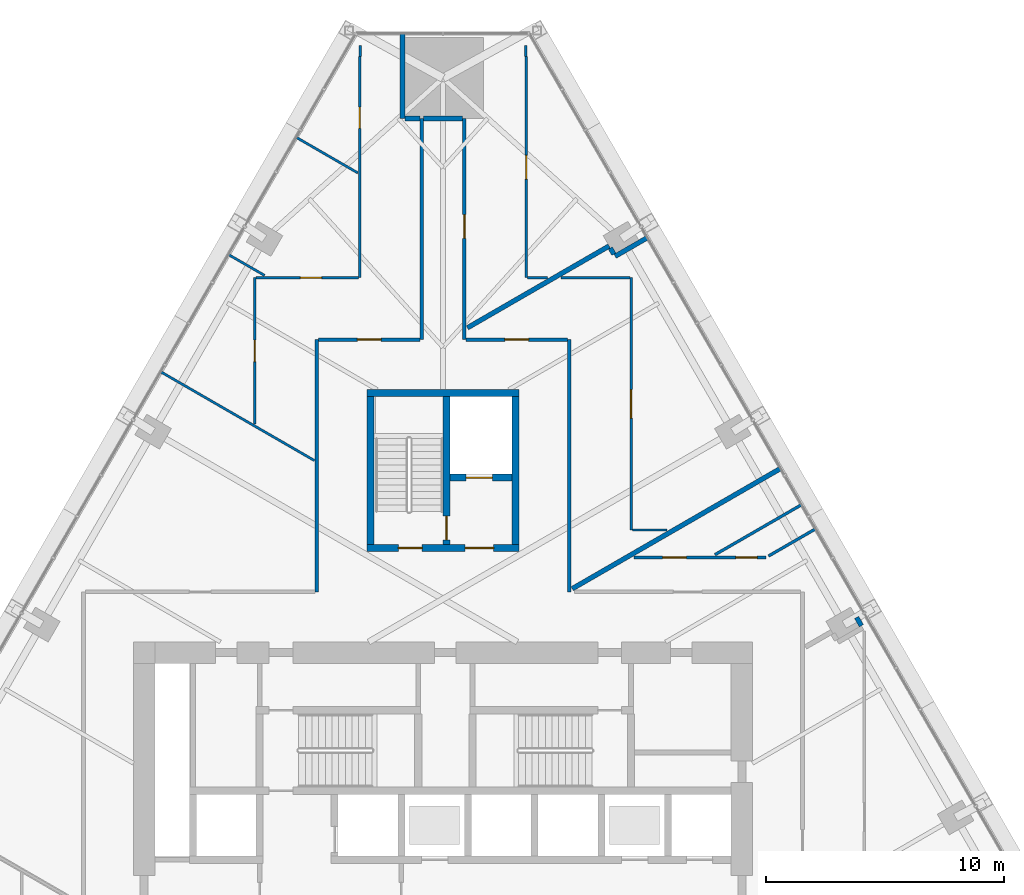
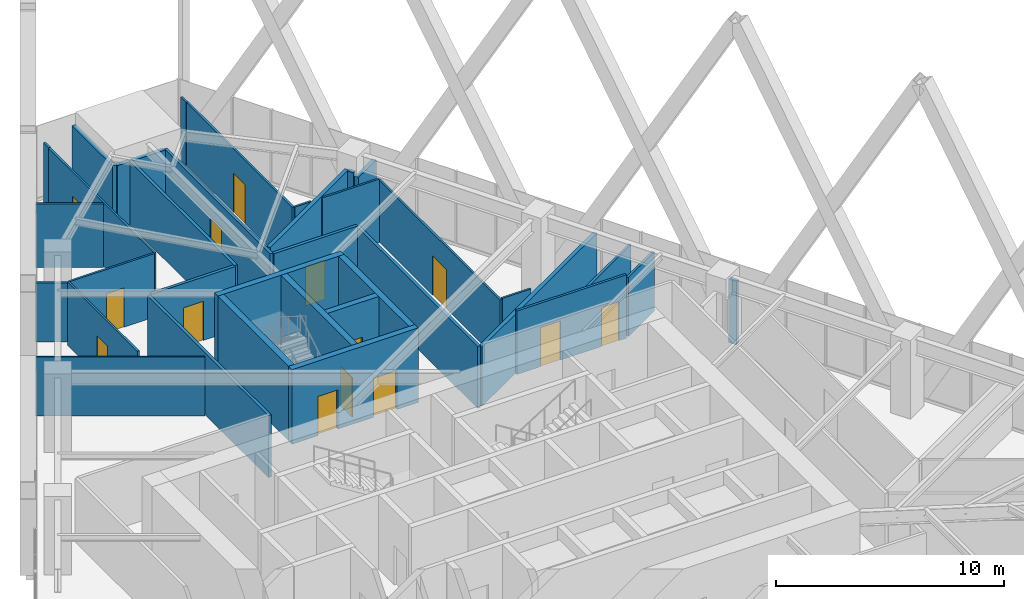
# One storey, part 18 of 21: 36 walls, 14 doors, 14 openings.
"""IFC4 building model written with IfcOpenShell, lengths in metres."""

from ifc_helpers import new_model, si_unit, direction, frame, frame_2d, origin, place, context, subcontext, project, spatial, rectangle, extrude, material, layer, layer_set, type_object, element, fill, save


model = new_model("IFC4")

# Units and contexts
model_context = context("Model", 3, precision=1e-05, world=origin(), true_north=direction((0.0, 1.0)))
body_context = subcontext(model_context, "Body", "Model", "MODEL_VIEW")
ifc_project = project(units=[si_unit("LENGTHUNIT", "METRE"), si_unit("AREAUNIT", "SQUARE_METRE"), si_unit("VOLUMEUNIT", "CUBIC_METRE"), si_unit("PLANEANGLEUNIT", "RADIAN"), si_unit("MASSUNIT", "GRAM", prefix="KILO")], contexts=[model_context])

# Site, building, storey
site_placement = place(None, origin())
site = spatial("IfcSite", under=ifc_project, at=site_placement, CompositionType="ELEMENT")
building_placement = place(site_placement, origin())
building = spatial("IfcBuilding", under=site, at=building_placement, Name="Firuza Gate Tower and Library", CompositionType="ELEMENT")
storey_placement = place(building_placement, frame((0.0, 0.0, 107.199951171875)))
storey = spatial("IfcBuildingStorey", under=building, at=storey_placement, Name="L24", CompositionType="ELEMENT", Elevation=107.199951171875)

# Wall, openings, doors
ifc_material_1 = material(Name="Concrete C80/95", Category="concrete")
ifc_layer_1 = layer(ifc_material_1, 0.300048828125)
ifc_layer_set_1 = layer_set([ifc_layer_1], Name="Core wall 300 C80/95")
wall_type_1 = type_object("IfcWallType", Name="Core wall 300 C80/95", PredefinedType="SHEAR", material=ifc_layer_set_1)
wall_1_placement = place(storey_placement, frame((71.800048828125, 87.949951171875, 0.0), z_axis=(0.0, 0.0, 1.0), x_axis=(1.0, 0.0, 0.0)))
wall_1 = element("IfcWall", 1, at=wall_1_placement, inside=storey, type_object=wall_type_1, Name="Core wall L24 34", PredefinedType="SHEAR", context=body_context, shape_type="SweptSolid", body=[
    extrude(rectangle(XDim=6.39990234375, YDim=0.300048828125, at=frame_2d((3.199951171875, 0.0))), origin(), (0.0, 0.0, 1.0), 4.0),
])
opening_1_placement = place(wall_1_placement, frame((1.324951171875, 0.0, 0.0)))
opening_1 = element("IfcOpeningElement", 2, at=opening_1_placement, cuts=wall_1, Name="Opening L24-K17", PredefinedType="OPENING", context=body_context, shape_type="SweptSolid", body=[
    extrude(rectangle(XDim=1.0, YDim=2.10009765625, at=frame_2d((0.5, 1.050048828125))), frame((0.0, 0.16015625, 0.0), z_axis=(0.0, -1.0, 0.0), x_axis=(1.0, 0.0, 0.0)), (0.0, 0.0, 1.0), 0.320068359375),
])
opening_2_placement = place(wall_1_placement, frame((4.125, 0.0, 0.0)))
opening_2 = element("IfcOpeningElement", 3, at=opening_2_placement, cuts=wall_1, Name="Opening L24-K19", PredefinedType="OPENING", context=body_context, shape_type="SweptSolid", body=[
    extrude(rectangle(XDim=1.199951171875, YDim=2.10009765625, at=frame_2d((0.60009765625, 1.050048828125))), frame((0.0, 0.16015625, 0.0), z_axis=(0.0, -1.0, 0.0), x_axis=(1.0, 0.0, 0.0)), (0.0, 0.0, 1.0), 0.320068359375),
])
ifc_material_2 = material(Name="Steel", Category="steel")
door_type_1 = type_object("IfcDoorType", Name="Fire door 1000x2100 FD90", OperationType="NOTDEFINED", PredefinedType="DOOR", material=ifc_material_2)
door_1_placement = place(opening_1_placement, origin())
door_1 = element("IfcDoor", 4, at=door_1_placement, inside=storey, type_object=door_type_1, Name="Door L24-K17", OperationType="SINGLE_SWING_RIGHT", OverallHeight=2.10009765625, OverallWidth=1.0, PredefinedType="DOOR", context=body_context, shape_type="SweptSolid", body=[
    extrude(rectangle(XDim=1.0, YDim=2.10009765625, at=frame_2d((0.5, 1.050048828125))), frame((0.0, 0.02490234375, 0.0), z_axis=(0.0, -1.0, 0.0), x_axis=(1.0, 0.0, 0.0)), (0.0, 0.0, 1.0), 0.050048828125),
])
fill(opening_1, door_1)
ifc_material_3 = material(Name="Steel", Category="steel")
door_type_2 = type_object("IfcDoorType", Name="Fire door 1200x2100 FD30S", OperationType="NOTDEFINED", PredefinedType="DOOR", material=ifc_material_3)
door_2_placement = place(opening_2_placement, origin())
door_2 = element("IfcDoor", 5, at=door_2_placement, inside=storey, type_object=door_type_2, Name="Door L24-K19", OperationType="SINGLE_SWING_RIGHT", OverallHeight=2.10009765625, OverallWidth=1.199951171875, PredefinedType="DOOR", context=body_context, shape_type="SweptSolid", body=[
    extrude(rectangle(XDim=1.199951171875, YDim=2.10009765625, at=frame_2d((0.60009765625, 1.050048828125))), frame((0.0, 0.02490234375, 0.0), z_axis=(0.0, -1.0, 0.0), x_axis=(1.0, 0.0, 0.0)), (0.0, 0.0, 1.0), 0.050048828125),
])
fill(opening_2, door_2)

# Walls
wall_2_placement = place(storey_placement, frame((71.800048828125, 94.449951171875, 0.0), z_axis=(0.0, 0.0, 1.0), x_axis=(1.0, 0.0, 0.0)))
element("IfcWall", 6, at=wall_2_placement, inside=storey, type_object=wall_type_1, Name="Core wall L24 35", PredefinedType="SHEAR", context=body_context, shape_type="SweptSolid", body=[
    extrude(rectangle(XDim=6.39990234375, YDim=0.300048828125, at=frame_2d((3.199951171875, 0.0))), origin(), (0.0, 0.0, 1.0), 4.0),
])
for number, where, z_axis, x_axis, name in (
    (7, (71.949951171875, 88.10009765625, 0.0), (0.0, 0.0, 1.0), (0.0, 1.0, 0.0), "Core wall L24 36"),
    (8, (78.050048828125, 88.10009765625, 0.0), (0.0, 0.0, 1.0), (0.0, 1.0, 0.0), "Core wall L24 37"),
):
    element("IfcWall", number, at=place(storey_placement, frame(where, z_axis=z_axis, x_axis=x_axis)), inside=storey, type_object=wall_type_1, Name=name, PredefinedType="SHEAR", context=body_context, shape_type="SweptSolid", body=[
        extrude(rectangle(XDim=6.199951171875, YDim=0.300048828125, at=frame_2d((3.10009765625, 0.0))), origin(), (0.0, 0.0, 1.0), 4.0),
    ])

# Wall, opening, door
wall_3_placement = place(storey_placement, frame((75.300048828125, 90.89990234375, 0.0), z_axis=(0.0, 0.0, 1.0), x_axis=(1.0, 0.0, 0.0)))
wall_3 = element("IfcWall", 9, at=wall_3_placement, inside=storey, type_object=wall_type_1, Name="Core wall L24 38", PredefinedType="SHEAR", context=body_context, shape_type="SweptSolid", body=[
    extrude(rectangle(XDim=2.599853515625, YDim=0.300048828125, at=frame_2d((1.2998046875, 0.0))), origin(), (0.0, 0.0, 1.0), 4.0),
])
opening_3_placement = place(wall_3_placement, frame((0.675048828125, 0.0, 0.0)))
opening_3 = element("IfcOpeningElement", 10, at=opening_3_placement, cuts=wall_3, Name="Opening LD-SV1-L24", PredefinedType="OPENING", context=body_context, shape_type="SweptSolid", body=[
    extrude(rectangle(XDim=1.10009765625, YDim=2.10009765625, at=frame_2d((0.550048828125, 1.050048828125))), frame((0.0, 0.16015625, 0.0), z_axis=(0.0, -1.0, 0.0), x_axis=(1.0, 0.0, 0.0)), (0.0, 0.0, 1.0), 0.320068359375),
])
ifc_material_4 = material(Name="Stainless steel", Category="steel")
door_type_3 = type_object("IfcDoorType", Name="Lift landing door 1100x2100", OperationType="DOUBLE_DOOR_SLIDING", PredefinedType="DOOR", material=ifc_material_4)
door_3_placement = place(opening_3_placement, origin())
door_3 = element("IfcDoor", 11, at=door_3_placement, inside=storey, type_object=door_type_3, Name="Landing door SV1 L24", OperationType="DOUBLE_DOOR_SLIDING", OverallHeight=2.10009765625, OverallWidth=1.10009765625, PredefinedType="DOOR", context=body_context, shape_type="SweptSolid", body=[
    extrude(rectangle(XDim=1.10009765625, YDim=2.10009765625, at=frame_2d((0.550048828125, 1.050048828125))), frame((0.0, 0.02490234375, 0.0), z_axis=(0.0, -1.0, 0.0), x_axis=(1.0, 0.0, 0.0)), (0.0, 0.0, 1.0), 0.050048828125),
])
fill(opening_3, door_3)

wall_4_placement = place(storey_placement, frame((75.14990234375, 88.10009765625, 0.0), z_axis=(0.0, 0.0, 1.0), x_axis=(0.0, 1.0, 0.0)))
wall_4 = element("IfcWall", 12, at=wall_4_placement, inside=storey, type_object=wall_type_1, Name="Core wall L24 39", PredefinedType="SHEAR", context=body_context, shape_type="SweptSolid", body=[
    extrude(rectangle(XDim=6.199951171875, YDim=0.300048828125, at=frame_2d((3.10009765625, 0.0))), origin(), (0.0, 0.0, 1.0), 4.0),
])
opening_4_placement = place(wall_4_placement, frame((0.18505859375, 0.0, 0.0)))
opening_4 = element("IfcOpeningElement", 13, at=opening_4_placement, cuts=wall_4, Name="Opening L24-K18", PredefinedType="OPENING", context=body_context, shape_type="SweptSolid", body=[
    extrude(rectangle(XDim=1.0, YDim=2.10009765625, at=frame_2d((0.5, 1.050048828125))), frame((0.0, 0.16015625, 0.0), z_axis=(0.0, -1.0, 0.0), x_axis=(1.0, 0.0, 0.0)), (0.0, 0.0, 1.0), 0.320068359375),
])
door_4_placement = place(opening_4_placement, origin())
door_4 = element("IfcDoor", 14, at=door_4_placement, inside=storey, type_object=door_type_1, Name="Door L24-K18", OperationType="SINGLE_SWING_LEFT", OverallHeight=2.10009765625, OverallWidth=1.0, PredefinedType="DOOR", context=body_context, shape_type="SweptSolid", body=[
    extrude(rectangle(XDim=1.0, YDim=2.10009765625, at=frame_2d((0.5, 1.050048828125))), frame((0.0, 0.02490234375, 0.0), z_axis=(0.0, -1.0, 0.0), x_axis=(1.0, 0.0, 0.0)), (0.0, 0.0, 1.0), 0.050048828125),
])
fill(opening_4, door_4)

ifc_material_5 = material(Name="Gypsum board partition")
ifc_layer_2 = layer(ifc_material_5, 0.14990234375)
ifc_layer_set_2 = layer_set([ifc_layer_2], Name="Corridor wall 150 double board on steel studs")
wall_type_2 = type_object("IfcWallType", Name="Corridor wall 150 double board on steel studs", PredefinedType="PARTITIONING", material=ifc_layer_set_2)
wall_5_placement = place(storey_placement, frame((69.775390625, 96.699951171875, 0.0), z_axis=(0.0, 0.0, 1.0), x_axis=(1.0, 0.0, 0.0)))
wall_5 = element("IfcWall", 15, at=wall_5_placement, inside=storey, type_object=wall_type_2, Name="f:L24:w006", PredefinedType="PARTITIONING", context=body_context, shape_type="SweptSolid", body=[
    extrude(rectangle(XDim=4.24951171875, YDim=0.14990234375, at=frame_2d((2.124755859375, 0.0))), origin(), (0.0, 0.0, 1.0), 3.400146484375),
])
opening_5_placement = place(wall_5_placement, frame((1.624755859375, 0.0, 0.0)))
opening_5 = element("IfcOpeningElement", 16, at=opening_5_placement, cuts=wall_5, Name="Opening L24-08", PredefinedType="OPENING", context=body_context, shape_type="SweptSolid", body=[
    extrude(rectangle(XDim=1.0, YDim=2.10009765625, at=frame_2d((0.5, 1.050048828125))), frame((0.0, 0.0849609375, 0.0), z_axis=(0.0, -1.0, 0.0), x_axis=(1.0, 0.0, 0.0)), (0.0, 0.0, 1.0), 0.169921875),
])
ifc_material_6 = material(Name="Steel door and timber leaf", Category="steel")
door_type_4 = type_object("IfcDoorType", Name="Fire door 1000 x 2100 steel frame, timber leaf", OperationType="NOTDEFINED", PredefinedType="DOOR", material=ifc_material_6)
door_5_placement = place(opening_5_placement, origin())
door_5 = element("IfcDoor", 17, at=door_5_placement, inside=storey, type_object=door_type_4, Name="f:L24:d008", OperationType="SINGLE_SWING_RIGHT", OverallHeight=2.10009765625, OverallWidth=1.0, PredefinedType="DOOR", context=body_context, shape_type="SweptSolid", body=[
    extrude(rectangle(XDim=1.0, YDim=2.10009765625, at=frame_2d((0.5, 1.050048828125))), frame((0.0, 0.02490234375, 0.0), z_axis=(0.0, -1.0, 0.0), x_axis=(1.0, 0.0, 0.0)), (0.0, 0.0, 1.0), 0.050048828125),
])
fill(opening_5, door_5)

wall_6_placement = place(storey_placement, frame((80.22509765625, 96.699951171875, 0.0), z_axis=(0.0, 0.0, 1.0), x_axis=(-1.0, 0.0, 0.0)))
wall_6 = element("IfcWall", 18, at=wall_6_placement, inside=storey, type_object=wall_type_2, Name="f:L24:w007", PredefinedType="PARTITIONING", context=body_context, shape_type="SweptSolid", body=[
    extrude(rectangle(XDim=4.25, YDim=0.14990234375, at=frame_2d((2.125, 0.0))), origin(), (0.0, 0.0, 1.0), 3.400146484375),
])
opening_6_placement = place(wall_6_placement, frame((1.625, 0.0, 0.0)))
opening_6 = element("IfcOpeningElement", 19, at=opening_6_placement, cuts=wall_6, Name="Opening L24-09", PredefinedType="OPENING", context=body_context, shape_type="SweptSolid", body=[
    extrude(rectangle(XDim=1.0, YDim=2.10009765625, at=frame_2d((0.5, 1.050048828125))), frame((0.0, 0.0849609375, 0.0), z_axis=(0.0, -1.0, 0.0), x_axis=(1.0, 0.0, 0.0)), (0.0, 0.0, 1.0), 0.169921875),
])
door_6_placement = place(opening_6_placement, origin())
door_6 = element("IfcDoor", 20, at=door_6_placement, inside=storey, type_object=door_type_4, Name="f:L24:d009", OperationType="SINGLE_SWING_RIGHT", OverallHeight=2.10009765625, OverallWidth=1.0, PredefinedType="DOOR", context=body_context, shape_type="SweptSolid", body=[
    extrude(rectangle(XDim=1.0, YDim=2.10009765625, at=frame_2d((0.5, 1.050048828125))), frame((0.0, 0.02490234375, 0.0), z_axis=(0.0, -1.0, 0.0), x_axis=(1.0, 0.0, 0.0)), (0.0, 0.0, 1.0), 0.050048828125),
])
fill(opening_6, door_6)

# Wall
wall_7_placement = place(storey_placement, frame((80.300048828125, 86.10009765625, 0.0), z_axis=(0.0, 0.0, 1.0), x_axis=(0.0, 1.0, 0.0)))
element("IfcWall", 21, at=wall_7_placement, inside=storey, type_object=wall_type_2, Name="f:L24:w035", PredefinedType="PARTITIONING", context=body_context, shape_type="SweptSolid", body=[
    extrude(rectangle(XDim=10.599853515625, YDim=0.14990234375, at=frame_2d((5.2998046875, 0.0))), origin(), (0.0, 0.0, 1.0), 3.322021484375),
])

# Wall, opening, door
wall_8_placement = place(storey_placement, frame((75.89990234375, 105.98193359375, 0.0), z_axis=(0.0, 0.0, 1.0), x_axis=(0.0, -1.0, 0.0)))
wall_8 = element("IfcWall", 22, at=wall_8_placement, inside=storey, type_object=wall_type_2, Name="f:L24:w039", PredefinedType="PARTITIONING", context=body_context, shape_type="SweptSolid", body=[
    extrude(rectangle(XDim=9.281982421875, YDim=0.14990234375, at=frame_2d((4.64111328125, 0.0))), origin(), (0.0, 0.0, 1.0), 3.400146484375),
])
opening_7_placement = place(wall_8_placement, frame((4.03125, 0.0, 0.0)))
opening_7 = element("IfcOpeningElement", 23, at=opening_7_placement, cuts=wall_8, Name="Opening L24-20", PredefinedType="OPENING", context=body_context, shape_type="SweptSolid", body=[
    extrude(rectangle(XDim=1.0, YDim=2.10009765625, at=frame_2d((0.5, 1.050048828125))), frame((0.0, 0.0849609375, 0.0), z_axis=(0.0, -1.0, 0.0), x_axis=(1.0, 0.0, 0.0)), (0.0, 0.0, 1.0), 0.169921875),
])
door_7_placement = place(opening_7_placement, origin())
door_7 = element("IfcDoor", 24, at=door_7_placement, inside=storey, type_object=door_type_4, Name="f:L24:d020", OperationType="SINGLE_SWING_RIGHT", OverallHeight=2.10009765625, OverallWidth=1.0, PredefinedType="DOOR", context=body_context, shape_type="SweptSolid", body=[
    extrude(rectangle(XDim=1.0, YDim=2.10009765625, at=frame_2d((0.5, 1.050048828125))), frame((0.0, 0.02490234375, 0.0), z_axis=(0.0, -1.0, 0.0), x_axis=(1.0, 0.0, 0.0)), (0.0, 0.0, 1.0), 0.050048828125),
])
fill(opening_7, door_7)

# Walls
wall_9_placement = place(storey_placement, frame((74.10009765625, 96.699951171875, 0.0), z_axis=(0.0, 0.0, 1.0), x_axis=(0.0, 1.0, 0.0)))
element("IfcWall", 25, at=wall_9_placement, inside=storey, type_object=wall_type_2, Name="f:L24:w040", PredefinedType="PARTITIONING", context=body_context, shape_type="SweptSolid", body=[
    extrude(rectangle(XDim=9.282470703125, YDim=0.14990234375, at=frame_2d((4.64111328125, 0.0))), origin(), (0.0, 0.0, 1.0), 3.400146484375),
])
wall_10_placement = place(storey_placement, frame((69.699951171875, 86.10009765625, 0.0), z_axis=(0.0, 0.0, 1.0), x_axis=(0.0, 1.0, 0.0)))
element("IfcWall", 26, at=wall_10_placement, inside=storey, type_object=wall_type_2, Name="f:L24:w044", PredefinedType="PARTITIONING", context=body_context, shape_type="SweptSolid", body=[
    extrude(rectangle(XDim=10.599365234375, YDim=0.14990234375, at=frame_2d((5.2998046875, 0.0))), origin(), (0.0, 0.0, 1.0), 3.322021484375),
])
ifc_material_7 = material(Name="Gypsum board partition")
ifc_layer_3 = layer(ifc_material_7, 0.199951171875)
ifc_layer_set_3 = layer_set([ifc_layer_3], Name="Demising wall 200 acoustic double stud")
wall_type_3 = type_object("IfcWallType", Name="Demising wall 200 acoustic double stud", PredefinedType="PARTITIONING", material=ifc_layer_set_3)
wall_11_placement = place(storey_placement, frame((73.400390625, 105.98193359375, 0.0), z_axis=(0.0, 0.0, 1.0), x_axis=(1.0, 0.0, 0.0)))
element("IfcWall", 27, at=wall_11_placement, inside=storey, type_object=wall_type_3, Name="f:L24:w010", PredefinedType="PARTITIONING", context=body_context, shape_type="SweptSolid", body=[
    extrude(rectangle(XDim=0.62451171875, YDim=0.199951171875, at=frame_2d((0.312255859375, 0.0))), origin(), (0.0, 0.0, 1.0), 3.400146484375),
])
wall_12_placement = place(storey_placement, frame((80.4267578125, 86.234619140625, 0.0), z_axis=(0.0, 0.0, 1.0), x_axis=(0.8660229921, 0.500004177138, 0.0)))
element("IfcWall", 28, at=wall_12_placement, inside=storey, type_object=wall_type_3, Name="f:L24:w021", PredefinedType="PARTITIONING", context=body_context, shape_type="SweptSolid", body=[
    extrude(rectangle(XDim=10.10205078125, YDim=0.199951171875, at=frame_2d((5.051025390625, 0.0))), origin(), (0.0, 0.0, 1.0), 3.1650390625),
])
wall_13_placement = place(storey_placement, frame((82.228759765625, 100.198486328125, 0.0), z_axis=(0.0, 0.0, 1.0), x_axis=(0.866086524807, 0.499894120338, 0.0)))
element("IfcWall", 29, at=wall_13_placement, inside=storey, type_object=wall_type_3, Name="f:L24:w022", PredefinedType="PARTITIONING", context=body_context, shape_type="SweptSolid", body=[
    extrude(rectangle(XDim=1.559326171875, YDim=0.199951171875, at=frame_2d((0.77978515625, 0.0))), origin(), (0.0, 0.0, 1.0), 3.1650390625),
])
wall_14_placement = place(storey_placement, frame((76.027099609375, 97.1953125, 0.0), z_axis=(0.0, 0.0, 1.0), x_axis=(0.866030564923, 0.49999106054, 0.0)))
element("IfcWall", 30, at=wall_14_placement, inside=storey, type_object=wall_type_3, Name="f:L24:w023", PredefinedType="PARTITIONING", context=body_context, shape_type="SweptSolid", body=[
    extrude(rectangle(XDim=6.871337890625, YDim=0.199951171875, at=frame_2d((3.435546875, 0.0))), origin(), (0.0, 0.0, 1.0), 3.400146484375),
])
wall_15_placement = place(storey_placement, frame((73.300048828125, 105.98291015625, 0.0), z_axis=(0.0, 0.0, 1.0), x_axis=(0.0, 1.0, 0.0)))
element("IfcWall", 31, at=wall_15_placement, inside=storey, type_object=wall_type_3, Name="f:L24:w041", PredefinedType="PARTITIONING", context=body_context, shape_type="SweptSolid", body=[
    extrude(rectangle(XDim=3.5595703125, YDim=0.199951171875, at=frame_2d((1.77978515625, 0.0))), origin(), (0.0, 0.0, 1.0), 3.400146484375),
])
wall_16_placement = place(storey_placement, frame((92.571533203125, 84.68359375, 0.0), z_axis=(0.0, 0.0, 1.0), x_axis=(-0.500216468111, 0.865900389786, 0.0)))
element("IfcWall", 32, at=wall_16_placement, inside=storey, type_object=wall_type_3, Name="f:L24:w050", PredefinedType="PARTITIONING", context=body_context, shape_type="SweptSolid", body=[
    extrude(rectangle(XDim=0.399169921875, YDim=0.199951171875, at=frame_2d((0.19970703125, 0.0))), origin(), (0.0, 0.0, 1.0), 3.400146484375),
])
wall_17_placement = place(storey_placement, frame((82.177978515625, 100.28564453125, 0.0), z_axis=(0.0, 0.0, 1.0), x_axis=(-0.500005339912, 0.866022320763, 0.0)))
element("IfcWall", 33, at=wall_17_placement, inside=storey, type_object=wall_type_3, Name="f:L24:w052", PredefinedType="PARTITIONING", context=body_context, shape_type="SweptSolid", body=[
    extrude(rectangle(XDim=0.298828125, YDim=0.199951171875, at=frame_2d((0.1494140625, 0.0))), origin(), (0.0, 0.0, 1.0), 3.400146484375),
])
wall_18_placement = place(storey_placement, frame((74.175048828125, 105.98193359375, 0.0), z_axis=(0.0, 0.0, 1.0), x_axis=(1.0, 0.0, 0.0)))
element("IfcWall", 34, at=wall_18_placement, inside=storey, type_object=wall_type_3, Name="f:L24:w069", PredefinedType="PARTITIONING", context=body_context, shape_type="SweptSolid", body=[
    extrude(rectangle(XDim=1.6494140625, YDim=0.199951171875, at=frame_2d((0.82470703125, 0.0))), origin(), (0.0, 0.0, 1.0), 3.39697265625),
])
ifc_material_8 = material(Name="Gypsum board partition")
ifc_layer_4 = layer(ifc_material_8, 0.10009765625)
ifc_layer_set_4 = layer_set([ifc_layer_4], Name="Partition 100 gypsum board on steel studs")
wall_type_4 = type_object("IfcWallType", Name="Partition 100 gypsum board on steel studs", PredefinedType="PARTITIONING", material=ifc_layer_set_4)
wall_19_placement = place(storey_placement, frame((82.949951171875, 88.699951171875, 0.0), z_axis=(0.0, 0.0, 1.0), x_axis=(1.0, 0.0, 0.0)))
element("IfcWall", 35, at=wall_19_placement, inside=storey, type_object=wall_type_4, Name="f:L24:w005", PredefinedType="PARTITIONING", context=body_context, shape_type="SweptSolid", body=[
    extrude(rectangle(XDim=1.457763671875, YDim=0.10009765625, at=frame_2d((0.72900390625, 0.0))), origin(), (0.0, 0.0, 1.0), 3.400146484375),
])

# Wall, opening, door
wall_20_placement = place(storey_placement, frame((67.14990234375, 99.300048828125, 0.0), z_axis=(0.0, 0.0, 1.0), x_axis=(1.0, 0.0, 0.0)))
wall_20 = element("IfcWall", 36, at=wall_20_placement, inside=storey, type_object=wall_type_4, Name="f:L24:w008", PredefinedType="PARTITIONING", context=body_context, shape_type="SweptSolid", body=[
    extrude(rectangle(XDim=4.300048828125, YDim=0.10009765625, at=frame_2d((2.14990234375, 0.0))), origin(), (0.0, 0.0, 1.0), 3.400146484375),
])
opening_8_placement = place(wall_20_placement, frame((1.85693359375, 0.0, 0.0)))
opening_8 = element("IfcOpeningElement", 37, at=opening_8_placement, cuts=wall_20, Name="Opening L24-10", PredefinedType="OPENING", context=body_context, shape_type="SweptSolid", body=[
    extrude(rectangle(XDim=0.89990234375, YDim=2.10009765625, at=frame_2d((0.449951171875, 1.050048828125))), frame((0.0, 0.06005859375, 0.0), z_axis=(0.0, -1.0, 0.0), x_axis=(1.0, 0.0, 0.0)), (0.0, 0.0, 1.0), 0.1201171875),
])
ifc_material_9 = material(Name="Timber door", Category="wood")
door_type_5 = type_object("IfcDoorType", Name="Door 900 x 2100 timber leaf", OperationType="NOTDEFINED", PredefinedType="DOOR", material=ifc_material_9)
door_8_placement = place(opening_8_placement, origin())
door_8 = element("IfcDoor", 38, at=door_8_placement, inside=storey, type_object=door_type_5, Name="f:L24:d010", OperationType="SINGLE_SWING_RIGHT", OverallHeight=2.10009765625, OverallWidth=0.89990234375, PredefinedType="DOOR", context=body_context, shape_type="SweptSolid", body=[
    extrude(rectangle(XDim=0.89990234375, YDim=2.10009765625, at=frame_2d((0.449951171875, 1.050048828125))), frame((0.0, 0.02490234375, 0.0), z_axis=(0.0, -1.0, 0.0), x_axis=(1.0, 0.0, 0.0)), (0.0, 0.0, 1.0), 0.050048828125),
])
fill(opening_8, door_8)

# Wall
wall_21_placement = place(storey_placement, frame((78.550537109375, 99.300048828125, 0.0), z_axis=(0.0, 0.0, 1.0), x_axis=(1.0, 0.0, 0.0)))
element("IfcWall", 39, at=wall_21_placement, inside=storey, type_object=wall_type_4, Name="f:L24:w009", PredefinedType="PARTITIONING", context=body_context, shape_type="SweptSolid", body=[
    extrude(rectangle(XDim=0.83544921875, YDim=0.10009765625, at=frame_2d((0.417724609375, 0.0))), origin(), (0.0, 0.0, 1.0), 3.400146484375),
])

# Wall, opening, door
wall_22_placement = place(storey_placement, frame((82.89990234375, 88.699951171875, 0.0), z_axis=(0.0, 0.0, 1.0), x_axis=(0.0, 1.0, 0.0)))
wall_22 = element("IfcWall", 40, at=wall_22_placement, inside=storey, type_object=wall_type_4, Name="f:L24:w034", PredefinedType="PARTITIONING", context=body_context, shape_type="SweptSolid", body=[
    extrude(rectangle(XDim=10.60009765625, YDim=0.10009765625, at=frame_2d((5.300048828125, 0.0))), origin(), (0.0, 0.0, 1.0), 3.322021484375),
])
opening_9_placement = place(wall_22_placement, frame((4.699951171875, 0.0, 0.0)))
opening_9 = element("IfcOpeningElement", 41, at=opening_9_placement, cuts=wall_22, Name="Opening L24-18", PredefinedType="OPENING", context=body_context, shape_type="SweptSolid", body=[
    extrude(rectangle(XDim=1.199951171875, YDim=2.10009765625, at=frame_2d((0.60009765625, 1.050048828125))), frame((0.0, 0.06005859375, 0.0), z_axis=(0.0, -1.0, 0.0), x_axis=(1.0, 0.0, 0.0)), (0.0, 0.0, 1.0), 0.1201171875),
])
ifc_material_10 = material(Name="Glazed aluminium door", Category="aluminium")
door_type_6 = type_object("IfcDoorType", Name="Door 1200 x 2100 glazed double leaf", OperationType="NOTDEFINED", PredefinedType="DOOR", material=ifc_material_10)
door_9_placement = place(opening_9_placement, origin())
door_9 = element("IfcDoor", 42, at=door_9_placement, inside=storey, type_object=door_type_6, Name="f:L24:d018", OperationType="DOUBLE_DOOR_SINGLE_SWING", OverallHeight=2.10009765625, OverallWidth=1.199951171875, PredefinedType="DOOR", context=body_context, shape_type="SweptSolid", body=[
    extrude(rectangle(XDim=1.199951171875, YDim=2.10009765625, at=frame_2d((0.60009765625, 1.050048828125))), frame((0.0, 0.02490234375, 0.0), z_axis=(0.0, -1.0, 0.0), x_axis=(1.0, 0.0, 0.0)), (0.0, 0.0, 1.0), 0.050048828125),
])
fill(opening_9, door_9)

wall_23_placement = place(storey_placement, frame((78.5, 99.300537109375, 0.0), z_axis=(0.0, 0.0, 1.0), x_axis=(0.0, 1.0, 0.0)))
wall_23 = element("IfcWall", 43, at=wall_23_placement, inside=storey, type_object=wall_type_4, Name="f:L24:w036", PredefinedType="PARTITIONING", context=body_context, shape_type="SweptSolid", body=[
    extrude(rectangle(XDim=9.28173828125, YDim=0.10009765625, at=frame_2d((4.640869140625, 0.0))), origin(), (0.0, 0.0, 1.0), 3.400146484375),
])
opening_10_placement = place(wall_23_placement, frame((4.140869140625, 0.0, 0.0)))
opening_10 = element("IfcOpeningElement", 44, at=opening_10_placement, cuts=wall_23, Name="Opening L24-19", PredefinedType="OPENING", context=body_context, shape_type="SweptSolid", body=[
    extrude(rectangle(XDim=1.0, YDim=2.10009765625, at=frame_2d((0.5, 1.050048828125))), frame((0.0, 0.06005859375, 0.0), z_axis=(0.0, -1.0, 0.0), x_axis=(1.0, 0.0, 0.0)), (0.0, 0.0, 1.0), 0.1201171875),
])
ifc_material_11 = material(Name="Timber door", Category="wood")
door_type_7 = type_object("IfcDoorType", Name="Door 1000 x 2100 timber leaf", OperationType="NOTDEFINED", PredefinedType="DOOR", material=ifc_material_11)
door_10_placement = place(opening_10_placement, origin())
door_10 = element("IfcDoor", 45, at=door_10_placement, inside=storey, type_object=door_type_7, Name="f:L24:d019", OperationType="SINGLE_SWING_RIGHT", OverallHeight=2.10009765625, OverallWidth=1.0, PredefinedType="DOOR", context=body_context, shape_type="SweptSolid", body=[
    extrude(rectangle(XDim=1.0, YDim=2.10009765625, at=frame_2d((0.5, 1.050048828125))), frame((0.0, 0.02490234375, 0.0), z_axis=(0.0, -1.0, 0.0), x_axis=(1.0, 0.0, 0.0)), (0.0, 0.0, 1.0), 0.050048828125),
])
fill(opening_10, door_10)

# Walls
wall_24_placement = place(storey_placement, frame((78.48095703125, 108.5830078125, 0.0), z_axis=(0.0, 0.0, 1.0), x_axis=(0.0, 1.0, 0.0)))
element("IfcWall", 46, at=wall_24_placement, inside=storey, type_object=wall_type_4, Name="f:L24:w037", PredefinedType="PARTITIONING", context=body_context, shape_type="SweptSolid", body=[
    extrude(rectangle(XDim=0.47265625, YDim=0.10009765625, at=frame_2d((0.236328125, 0.0))), origin(), (0.0, 0.0, 1.0), 3.400146484375),
])
wall_25_placement = place(storey_placement, frame((71.51904296875, 108.58251953125, 0.0), z_axis=(0.0, 0.0, 1.0), x_axis=(0.0, 1.0, 0.0)))
element("IfcWall", 47, at=wall_25_placement, inside=storey, type_object=wall_type_4, Name="f:L24:w042", PredefinedType="PARTITIONING", context=body_context, shape_type="SweptSolid", body=[
    extrude(rectangle(XDim=0.47314453125, YDim=0.10009765625, at=frame_2d((0.236572265625, 0.0))), origin(), (0.0, 0.0, 1.0), 3.400146484375),
])

# Wall, opening, door
wall_26_placement = place(storey_placement, frame((71.5, 99.300048828125, 0.0), z_axis=(0.0, 0.0, 1.0), x_axis=(0.0, 1.0, 0.0)))
wall_26 = element("IfcWall", 48, at=wall_26_placement, inside=storey, type_object=wall_type_4, Name="f:L24:w043", PredefinedType="PARTITIONING", context=body_context, shape_type="SweptSolid", body=[
    extrude(rectangle(XDim=9.28173828125, YDim=0.10009765625, at=frame_2d((4.640869140625, 0.0))), origin(), (0.0, 0.0, 1.0), 3.400146484375),
])
opening_11_placement = place(wall_26_placement, frame((6.26708984375, 0.0, 0.0)))
opening_11 = element("IfcOpeningElement", 49, at=opening_11_placement, cuts=wall_26, Name="Opening L24-21", PredefinedType="OPENING", context=body_context, shape_type="SweptSolid", body=[
    extrude(rectangle(XDim=0.89990234375, YDim=2.10009765625, at=frame_2d((0.449951171875, 1.050048828125))), frame((0.0, 0.06005859375, 0.0), z_axis=(0.0, -1.0, 0.0), x_axis=(1.0, 0.0, 0.0)), (0.0, 0.0, 1.0), 0.1201171875),
])
door_11_placement = place(opening_11_placement, origin())
door_11 = element("IfcDoor", 50, at=door_11_placement, inside=storey, type_object=door_type_5, Name="f:L24:d021", OperationType="SINGLE_SWING_LEFT", OverallHeight=2.10009765625, OverallWidth=0.89990234375, PredefinedType="DOOR", context=body_context, shape_type="SweptSolid", body=[
    extrude(rectangle(XDim=0.89990234375, YDim=2.10009765625, at=frame_2d((0.449951171875, 1.050048828125))), frame((0.0, 0.02490234375, 0.0), z_axis=(0.0, -1.0, 0.0), x_axis=(1.0, 0.0, 0.0)), (0.0, 0.0, 1.0), 0.050048828125),
])
fill(opening_11, door_11)

wall_27_placement = place(storey_placement, frame((67.10009765625, 99.300048828125, 0.0), z_axis=(0.0, 0.0, 1.0), x_axis=(0.0, -1.0, 0.0)))
wall_27 = element("IfcWall", 51, at=wall_27_placement, inside=storey, type_object=wall_type_4, Name="f:L24:w045", PredefinedType="PARTITIONING", context=body_context, shape_type="SweptSolid", body=[
    extrude(rectangle(XDim=6.149658203125, YDim=0.10009765625, at=frame_2d((3.07470703125, 0.0))), origin(), (0.0, 0.0, 1.0), 3.400146484375),
])
opening_12_placement = place(wall_27_placement, frame((2.624755859375, 0.0, 0.0)))
opening_12 = element("IfcOpeningElement", 52, at=opening_12_placement, cuts=wall_27, Name="Opening L24-22", PredefinedType="OPENING", context=body_context, shape_type="SweptSolid", body=[
    extrude(rectangle(XDim=0.89990234375, YDim=2.10009765625, at=frame_2d((0.449951171875, 1.050048828125))), frame((0.0, 0.06005859375, 0.0), z_axis=(0.0, -1.0, 0.0), x_axis=(1.0, 0.0, 0.0)), (0.0, 0.0, 1.0), 0.1201171875),
])
door_12_placement = place(opening_12_placement, origin())
door_12 = element("IfcDoor", 53, at=door_12_placement, inside=storey, type_object=door_type_5, Name="f:L24:d022", OperationType="SINGLE_SWING_RIGHT", OverallHeight=2.10009765625, OverallWidth=0.89990234375, PredefinedType="DOOR", context=body_context, shape_type="SweptSolid", body=[
    extrude(rectangle(XDim=0.89990234375, YDim=2.10009765625, at=frame_2d((0.449951171875, 1.050048828125))), frame((0.0, 0.02490234375, 0.0), z_axis=(0.0, -1.0, 0.0), x_axis=(1.0, 0.0, 0.0)), (0.0, 0.0, 1.0), 0.050048828125),
])
fill(opening_12, door_12)

# Walls
wall_28_placement = place(storey_placement, frame((71.424072265625, 103.698974609375, 0.0), z_axis=(0.0, 0.0, 1.0), x_axis=(-0.866010510293, 0.500025795397, 0.0)))
element("IfcWall", 54, at=wall_28_placement, inside=storey, type_object=wall_type_4, Name="f:L24:w054", PredefinedType="PARTITIONING", context=body_context, shape_type="SweptSolid", body=[
    extrude(rectangle(XDim=2.972412109375, YDim=0.10009765625, at=frame_2d((1.486328125, 0.0))), origin(), (0.0, 0.0, 1.0), 3.400146484375),
])
wall_29_placement = place(storey_placement, frame((67.50537109375, 99.394775390625, 0.0), z_axis=(0.0, 0.0, 1.0), x_axis=(-0.866021168401, 0.500007335828, 0.0)))
element("IfcWall", 55, at=wall_29_placement, inside=storey, type_object=wall_type_4, Name="f:L24:w055", PredefinedType="PARTITIONING", context=body_context, shape_type="SweptSolid", body=[
    extrude(rectangle(XDim=1.73095703125, YDim=0.10009765625, at=frame_2d((0.865478515625, 0.0))), origin(), (0.0, 0.0, 1.0), 3.1650390625),
])
wall_30_placement = place(storey_placement, frame((69.59912109375, 91.6201171875, 0.0), z_axis=(0.0, 0.0, 1.0), x_axis=(-0.866018724091, 0.500011569389, 0.0)))
element("IfcWall", 56, at=wall_30_placement, inside=storey, type_object=wall_type_4, Name="f:L24:w056", PredefinedType="PARTITIONING", context=body_context, shape_type="SweptSolid", body=[
    extrude(rectangle(XDim=7.431396484375, YDim=0.10009765625, at=frame_2d((3.7158203125, 0.0))), origin(), (0.0, 0.0, 1.0), 3.1650390625),
])
wall_31_placement = place(storey_placement, frame((79.959228515625, 99.300048828125, 0.0), z_axis=(0.0, 0.0, 1.0), x_axis=(1.0, 0.0, 0.0)))
element("IfcWall", 57, at=wall_31_placement, inside=storey, type_object=wall_type_4, Name="f:L24:w068", PredefinedType="PARTITIONING", context=body_context, shape_type="SweptSolid", body=[
    extrude(rectangle(XDim=2.890869140625, YDim=0.10009765625, at=frame_2d((1.4453125, 0.0))), origin(), (0.0, 0.0, 1.0), 3.400146484375),
])

# Wall, openings, doors
ifc_material_12 = material(Name="Gypsum board partition")
ifc_layer_5 = layer(ifc_material_12, 0.1201171875)
ifc_layer_set_5 = layer_set([ifc_layer_5], Name="Wet-area partition 120 moisture-resistant board")
wall_type_5 = type_object("IfcWallType", Name="Wet-area partition 120 moisture-resistant board", PredefinedType="PARTITIONING", material=ifc_layer_set_5)
wall_32_placement = place(storey_placement, frame((88.570556640625, 87.550048828125, 0.0), z_axis=(0.0, 0.0, 1.0), x_axis=(-1.0, 0.0, 0.0)))
wall_32 = element("IfcWall", 58, at=wall_32_placement, inside=storey, type_object=wall_type_5, Name="f:L24:w004", PredefinedType="PARTITIONING", context=body_context, shape_type="SweptSolid", body=[
    extrude(rectangle(XDim=5.554443359375, YDim=0.1201171875, at=frame_2d((2.77734375, 0.0))), origin(), (0.0, 0.0, 1.0), 3.400146484375),
])
opening_13_placement = place(wall_32_placement, frame((0.37451171875, 0.0, 0.0)))
opening_13 = element("IfcOpeningElement", 59, at=opening_13_placement, cuts=wall_32, Name="Opening L24-06", PredefinedType="OPENING", context=body_context, shape_type="SweptSolid", body=[
    extrude(rectangle(XDim=0.89990234375, YDim=2.10009765625, at=frame_2d((0.449951171875, 1.050048828125))), frame((0.0, 0.070068359375, 0.0), z_axis=(0.0, -1.0, 0.0), x_axis=(1.0, 0.0, 0.0)), (0.0, 0.0, 1.0), 0.14013671875),
])
opening_14_placement = place(wall_32_placement, frame((3.34716796875, 0.0, 0.0)))
opening_14 = element("IfcOpeningElement", 60, at=opening_14_placement, cuts=wall_32, Name="Opening L24-07", PredefinedType="OPENING", context=body_context, shape_type="SweptSolid", body=[
    extrude(rectangle(XDim=1.0, YDim=2.10009765625, at=frame_2d((0.5, 1.050048828125))), frame((0.0, 0.070068359375, 0.0), z_axis=(0.0, -1.0, 0.0), x_axis=(1.0, 0.0, 0.0)), (0.0, 0.0, 1.0), 0.14013671875),
])
door_13_placement = place(opening_14_placement, origin())
door_13 = element("IfcDoor", 61, at=door_13_placement, inside=storey, type_object=door_type_7, Name="f:L24:d007", OperationType="SINGLE_SWING_RIGHT", OverallHeight=2.10009765625, OverallWidth=1.0, PredefinedType="DOOR", context=body_context, shape_type="SweptSolid", body=[
    extrude(rectangle(XDim=1.0, YDim=2.10009765625, at=frame_2d((0.5, 1.050048828125))), frame((0.0, 0.02490234375, 0.0), z_axis=(0.0, -1.0, 0.0), x_axis=(1.0, 0.0, 0.0)), (0.0, 0.0, 1.0), 0.050048828125),
])
fill(opening_14, door_13)
door_14_placement = place(opening_13_placement, origin())
door_14 = element("IfcDoor", 62, at=door_14_placement, inside=storey, type_object=door_type_5, Name="f:L24:d006", OperationType="SINGLE_SWING_LEFT", OverallHeight=2.10009765625, OverallWidth=0.89990234375, PredefinedType="DOOR", context=body_context, shape_type="SweptSolid", body=[
    extrude(rectangle(XDim=0.89990234375, YDim=2.10009765625, at=frame_2d((0.449951171875, 1.050048828125))), frame((0.0, 0.02490234375, 0.0), z_axis=(0.0, -1.0, 0.0), x_axis=(1.0, 0.0, 0.0)), (0.0, 0.0, 1.0), 0.050048828125),
])
fill(opening_13, door_14)

# Walls
wall_33_placement = place(storey_placement, frame((88.674560546875, 87.60986328125, 0.0), z_axis=(0.0, 0.0, 1.0), x_axis=(0.866038828342, 0.499976747263, 0.0)))
element("IfcWall", 63, at=wall_33_placement, inside=storey, type_object=wall_type_5, Name="f:L24:w019", PredefinedType="PARTITIONING", context=body_context, shape_type="SweptSolid", body=[
    extrude(rectangle(XDim=2.271484375, YDim=0.1201171875, at=frame_2d((1.1357421875, 0.0))), origin(), (0.0, 0.0, 1.0), 3.1650390625),
])
wall_34_placement = place(storey_placement, frame((86.423828125, 87.664794921875, 0.0), z_axis=(0.0, 0.0, 1.0), x_axis=(0.866012997078, 0.50002148843, 0.0)))
element("IfcWall", 64, at=wall_34_placement, inside=storey, type_object=wall_type_5, Name="f:L24:w020", PredefinedType="PARTITIONING", context=body_context, shape_type="SweptSolid", body=[
    extrude(rectangle(XDim=4.193115234375, YDim=0.1201171875, at=frame_2d((2.0966796875, 0.0))), origin(), (0.0, 0.0, 1.0), 3.1650390625),
])

save(model, "model.ifc")
